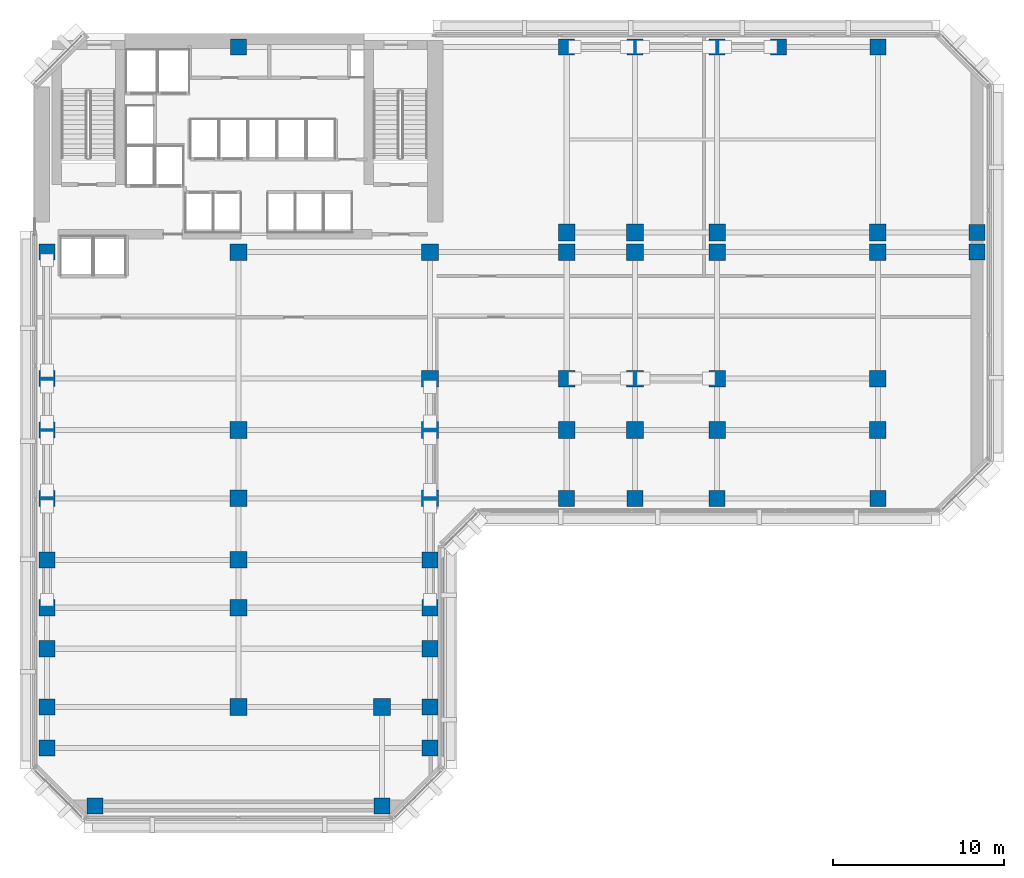
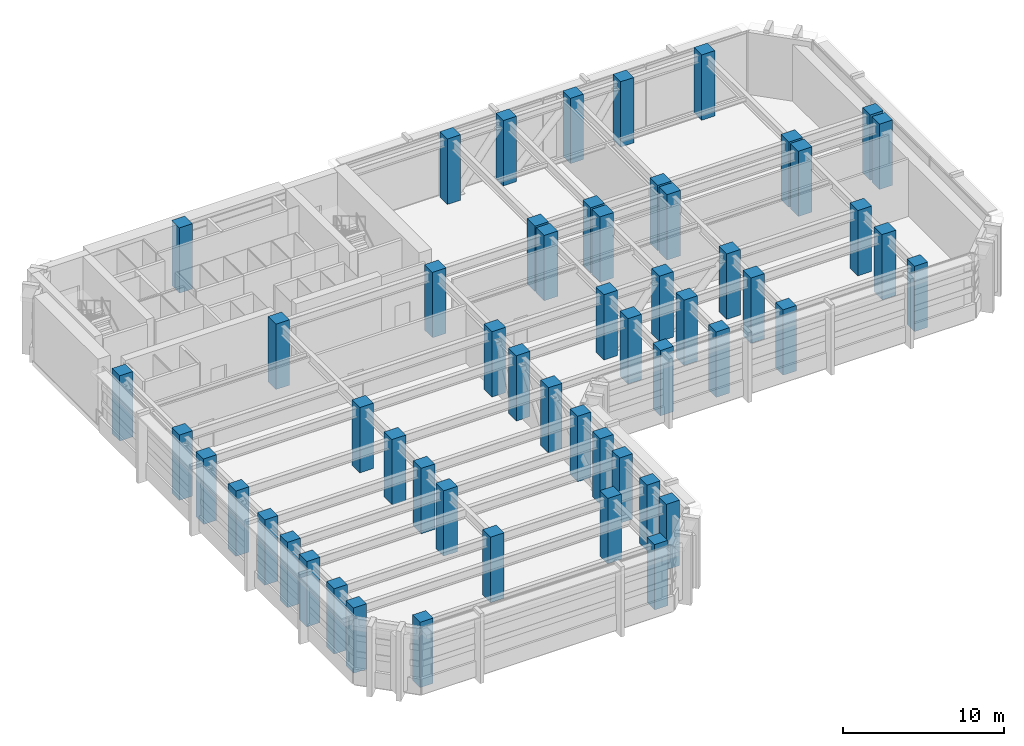
# One storey, part 1 of 13: 55 columns.
"""IFC4 building model written with IfcOpenShell, lengths in metres."""

from ifc_helpers import new_model, si_unit, direction, frame, origin, origin_2d, place, context, subcontext, project, spatial, rectangle, extrude, material, material_profile, profile_set, type_object, element, save


model = new_model("IFC4")

# Units and contexts
model_context = context("Model", 3, precision=1e-05, world=origin(), true_north=direction((0.0, 1.0)))
body_context = subcontext(model_context, "Body", "Model", "MODEL_VIEW")
ifc_project = project(units=[si_unit("LENGTHUNIT", "METRE"), si_unit("AREAUNIT", "SQUARE_METRE"), si_unit("VOLUMEUNIT", "CUBIC_METRE"), si_unit("PLANEANGLEUNIT", "RADIAN"), si_unit("MASSUNIT", "GRAM", prefix="KILO")], contexts=[model_context])

# Site, building, storey
site_placement = place(None, origin())
site = spatial("IfcSite", under=ifc_project, at=site_placement, CompositionType="ELEMENT")
building_placement = place(site_placement, origin())
building = spatial("IfcBuilding", under=site, at=building_placement, Name="Kefirva Bronze Tower", CompositionType="ELEMENT")
storey_placement = place(building_placement, frame((0.0, 0.0, 93.719970703125)))
storey = spatial("IfcBuildingStorey", under=building, at=storey_placement, Name="L22", CompositionType="ELEMENT", Elevation=93.719970703125)

# Columns
ifc_material = material(Name="Concrete C60/75", Category="concrete")
ifc_material_profile_1 = material_profile(ifc_material, rectangle(XDim=0.93994140625, YDim=0.93994140625, at=origin_2d()), Name="RC 940x940")
ifc_profile_set_1 = profile_set([ifc_material_profile_1], Name="Concrete C60/75")
column_type_1 = type_object("IfcColumnType", Name="RC Column 940x940 Ext", PredefinedType="COLUMN", material=ifc_profile_set_1)
for number, where, z_axis, x_axis, name in (
    (1, (0.800048828125, 4.199951171875, 0.0), (0.0, 0.0, 1.0), (1.0, 0.0, 0.0), "L22 Column C008_042"),
    (2, (0.800048828125, 6.60009765625, 0.0), (0.0, 0.0, 1.0), (1.0, 0.0, 0.0), "L22 Column C008_066"),
    (3, (0.800048828125, 10.0, 0.0), (0.0, 0.0, 1.0), (1.0, 0.0, 0.0), "L22 Column C008_100"),
    (4, (0.800048828125, 12.39990234375, 0.0), (0.0, 0.0, 1.0), (1.0, 0.0, 0.0), "L22 Column C008_124"),
    (5, (0.800048828125, 15.199951171875, 0.0), (0.0, 0.0, 1.0), (1.0, 0.0, 0.0), "L22 Column C008_152"),
    (6, (0.800048828125, 18.800048828125, 0.0), (0.0, 0.0, 1.0), (1.0, 0.0, 0.0), "L22 Column C008_188"),
    (7, (0.800048828125, 22.800048828125, 0.0), (0.0, 0.0, 1.0), (1.0, 0.0, 0.0), "L22 Column C008_228"),
    (8, (0.800048828125, 25.800048828125, 0.0), (0.0, 0.0, 1.0), (1.0, 0.0, 0.0), "L22 Column C008_258"),
    (9, (0.800048828125, 33.199951171875, 0.0), (0.0, 0.0, 1.0), (1.0, 0.0, 0.0), "L22 Column C008_332"),
    (10, (3.60009765625, 0.800048828125, 0.0), (0.0, 0.0, 1.0), (1.0, 0.0, 0.0), "L22 Column C036_008"),
    (11, (12.0, 45.199951171875, 0.0), (0.0, 0.0, 1.0), (1.0, 0.0, 0.0), "L22 Column C120_452"),
    (12, (20.39990234375, 0.800048828125, 0.0), (0.0, 0.0, 1.0), (1.0, 0.0, 0.0), "L22 Column C204_008"),
    (13, (23.199951171875, 4.199951171875, 0.0), (0.0, 0.0, 1.0), (1.0, 0.0, 0.0), "L22 Column C232_042"),
    (14, (23.199951171875, 6.60009765625, 0.0), (0.0, 0.0, 1.0), (1.0, 0.0, 0.0), "L22 Column C232_066"),
    (15, (23.199951171875, 10.0, 0.0), (0.0, 0.0, 1.0), (1.0, 0.0, 0.0), "L22 Column C232_100"),
    (16, (23.199951171875, 12.39990234375, 0.0), (0.0, 0.0, 1.0), (1.0, 0.0, 0.0), "L22 Column C232_124"),
    (17, (23.199951171875, 15.199951171875, 0.0), (0.0, 0.0, 1.0), (1.0, 0.0, 0.0), "L22 Column C232_152"),
    (18, (31.199951171875, 18.800048828125, 0.0), (0.0, 0.0, 1.0), (1.0, 0.0, 0.0), "L22 Column C312_188"),
    (19, (31.199951171875, 45.199951171875, 0.0), (0.0, 0.0, 1.0), (1.0, 0.0, 0.0), "L22 Column C312_452"),
    (20, (35.199951171875, 18.800048828125, 0.0), (0.0, 0.0, 1.0), (1.0, 0.0, 0.0), "L22 Column C352_188"),
    (21, (35.199951171875, 45.199951171875, 0.0), (0.0, 0.0, 1.0), (1.0, 0.0, 0.0), "L22 Column C352_452"),
    (22, (40.0, 18.800048828125, 0.0), (0.0, 0.0, 1.0), (1.0, 0.0, 0.0), "L22 Column C400_188"),
    (23, (40.0, 45.199951171875, 0.0), (0.0, 0.0, 1.0), (1.0, 0.0, 0.0), "L22 Column C400_452"),
    (24, (43.60009765625, 45.199951171875, 0.0), (0.0, 0.0, 1.0), (1.0, 0.0, 0.0), "L22 Column C436_452"),
    (25, (49.39990234375, 18.800048828125, 0.0), (0.0, 0.0, 1.0), (1.0, 0.0, 0.0), "L22 Column C494_188"),
    (26, (49.39990234375, 45.199951171875, 0.0), (0.0, 0.0, 1.0), (1.0, 0.0, 0.0), "L22 Column C494_452"),
    (27, (55.199951171875, 33.199951171875, 0.0), (0.0, 0.0, 1.0), (1.0, 0.0, 0.0), "L22 Column C552_332"),
    (28, (55.199951171875, 34.35009765625, 0.0), (0.0, 0.0, 1.0), (1.0, 0.0, 0.0), "L22 Column C552_344"),
):
    element("IfcColumn", number, at=place(storey_placement, frame(where, z_axis=z_axis, x_axis=x_axis)), inside=storey, type_object=column_type_1, Name=name, PredefinedType="COLUMN", context=body_context, shape_type="SweptSolid", body=[
        extrude(rectangle(XDim=0.93994140625, YDim=0.93994140625, at=origin_2d()), origin(), (0.0, 0.0, 1.0), 4.949951171875),
    ])
ifc_material_profile_2 = material_profile(ifc_material, rectangle(XDim=0.97998046875, YDim=0.97998046875, at=origin_2d()), Name="RC 980x980")
ifc_profile_set_2 = profile_set([ifc_material_profile_2], Name="Concrete C60/75")
column_type_2 = type_object("IfcColumnType", Name="RC Column 980x980 Int", PredefinedType="COLUMN", material=ifc_profile_set_2)
for number, where, z_axis, x_axis, name in (
    (29, (12.0, 6.60009765625, 0.0), (0.0, 0.0, 1.0), (1.0, 0.0, 0.0), "L22 Column C120_066"),
    (30, (12.0, 12.39990234375, 0.0), (0.0, 0.0, 1.0), (1.0, 0.0, 0.0), "L22 Column C120_124"),
    (31, (12.0, 15.199951171875, 0.0), (0.0, 0.0, 1.0), (1.0, 0.0, 0.0), "L22 Column C120_152"),
    (32, (12.0, 18.800048828125, 0.0), (0.0, 0.0, 1.0), (1.0, 0.0, 0.0), "L22 Column C120_188"),
    (33, (12.0, 22.800048828125, 0.0), (0.0, 0.0, 1.0), (1.0, 0.0, 0.0), "L22 Column C120_228"),
    (34, (12.0, 33.199951171875, 0.0), (0.0, 0.0, 1.0), (1.0, 0.0, 0.0), "L22 Column C120_332"),
    (35, (20.39990234375, 6.60009765625, 0.0), (0.0, 0.0, 1.0), (1.0, 0.0, 0.0), "L22 Column C204_066"),
    (36, (23.199951171875, 18.800048828125, 0.0), (0.0, 0.0, 1.0), (1.0, 0.0, 0.0), "L22 Column C232_188"),
    (37, (23.199951171875, 22.800048828125, 0.0), (0.0, 0.0, 1.0), (1.0, 0.0, 0.0), "L22 Column C232_228"),
    (38, (23.199951171875, 25.800048828125, 0.0), (0.0, 0.0, 1.0), (1.0, 0.0, 0.0), "L22 Column C232_258"),
    (39, (23.199951171875, 33.199951171875, 0.0), (0.0, 0.0, 1.0), (1.0, 0.0, 0.0), "L22 Column C232_332"),
    (40, (31.199951171875, 22.800048828125, 0.0), (0.0, 0.0, 1.0), (1.0, 0.0, 0.0), "L22 Column C312_228"),
    (41, (31.199951171875, 25.800048828125, 0.0), (0.0, 0.0, 1.0), (1.0, 0.0, 0.0), "L22 Column C312_258"),
    (42, (31.199951171875, 33.199951171875, 0.0), (0.0, 0.0, 1.0), (1.0, 0.0, 0.0), "L22 Column C312_332"),
    (43, (31.199951171875, 34.35009765625, 0.0), (0.0, 0.0, 1.0), (1.0, 0.0, 0.0), "L22 Column C312_344"),
    (44, (35.199951171875, 22.800048828125, 0.0), (0.0, 0.0, 1.0), (1.0, 0.0, 0.0), "L22 Column C352_228"),
    (45, (35.199951171875, 25.800048828125, 0.0), (0.0, 0.0, 1.0), (1.0, 0.0, 0.0), "L22 Column C352_258"),
    (46, (35.199951171875, 33.199951171875, 0.0), (0.0, 0.0, 1.0), (1.0, 0.0, 0.0), "L22 Column C352_332"),
    (47, (35.199951171875, 34.35009765625, 0.0), (0.0, 0.0, 1.0), (1.0, 0.0, 0.0), "L22 Column C352_344"),
    (48, (40.0, 22.800048828125, 0.0), (0.0, 0.0, 1.0), (1.0, 0.0, 0.0), "L22 Column C400_228"),
    (49, (40.0, 25.800048828125, 0.0), (0.0, 0.0, 1.0), (1.0, 0.0, 0.0), "L22 Column C400_258"),
    (50, (40.0, 33.199951171875, 0.0), (0.0, 0.0, 1.0), (1.0, 0.0, 0.0), "L22 Column C400_332"),
    (51, (40.0, 34.35009765625, 0.0), (0.0, 0.0, 1.0), (1.0, 0.0, 0.0), "L22 Column C400_344"),
    (52, (49.39990234375, 22.800048828125, 0.0), (0.0, 0.0, 1.0), (1.0, 0.0, 0.0), "L22 Column C494_228"),
    (53, (49.39990234375, 25.800048828125, 0.0), (0.0, 0.0, 1.0), (1.0, 0.0, 0.0), "L22 Column C494_258"),
    (54, (49.39990234375, 33.199951171875, 0.0), (0.0, 0.0, 1.0), (1.0, 0.0, 0.0), "L22 Column C494_332"),
    (55, (49.39990234375, 34.35009765625, 0.0), (0.0, 0.0, 1.0), (1.0, 0.0, 0.0), "L22 Column C494_344"),
):
    element("IfcColumn", number, at=place(storey_placement, frame(where, z_axis=z_axis, x_axis=x_axis)), inside=storey, type_object=column_type_2, Name=name, PredefinedType="COLUMN", context=body_context, shape_type="SweptSolid", body=[
        extrude(rectangle(XDim=0.97998046875, YDim=0.97998046875, at=origin_2d()), origin(), (0.0, 0.0, 1.0), 4.949951171875),
    ])

save(model, "model.ifc")
